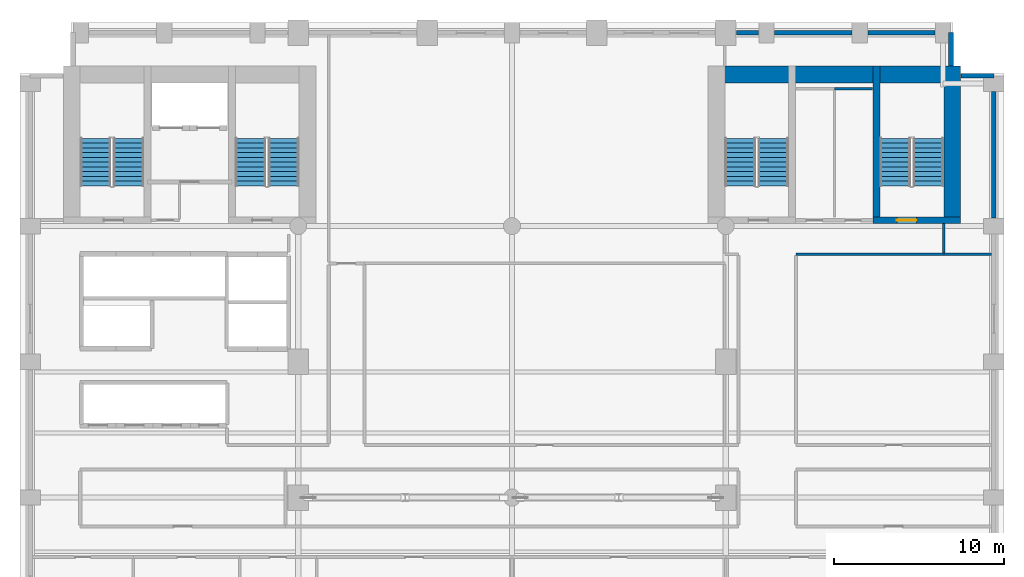
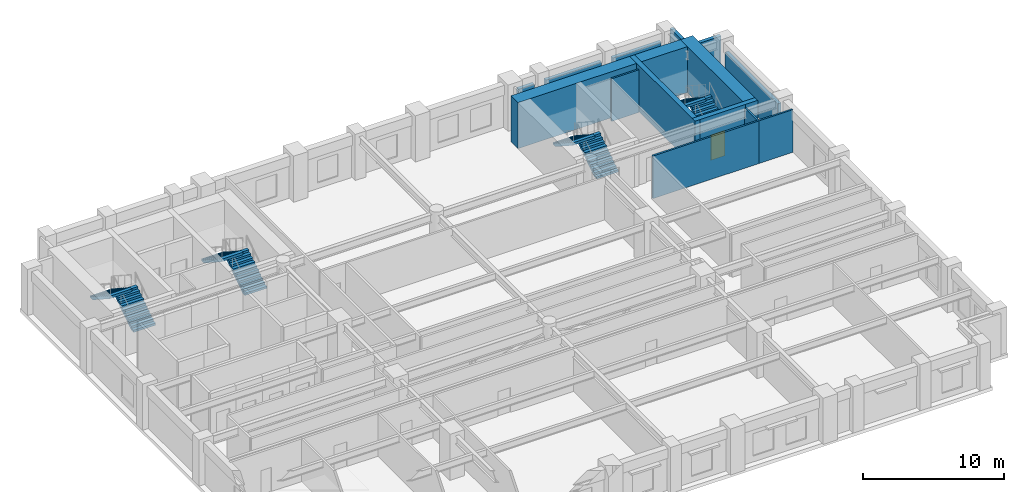
# One storey, part 8 of 11: 14 walls, 8 stair flights, 1 door, 1 opening, 4 elements without a shape of their own.
"""IFC4 building model written with IfcOpenShell, lengths in metres."""

from ifc_helpers import new_model, si_unit, direction, frame, frame_2d, origin, place, context, subcontext, project, spatial, polyline, rectangle, outline, extrude, material, layer, layer_set, type_object, element, fill, aggregate, save


model = new_model("IFC4")

# Units and contexts
model_context = context("Model", 3, precision=1e-05, world=origin(), true_north=direction((0.0, 1.0)))
body_context = subcontext(model_context, "Body", "Model", "MODEL_VIEW")
ifc_project = project(units=[si_unit("LENGTHUNIT", "METRE"), si_unit("AREAUNIT", "SQUARE_METRE"), si_unit("VOLUMEUNIT", "CUBIC_METRE"), si_unit("PLANEANGLEUNIT", "RADIAN"), si_unit("MASSUNIT", "GRAM", prefix="KILO")], contexts=[model_context])

# Site, building, storey
site_placement = place(None, origin())
site = spatial("IfcSite", under=ifc_project, at=site_placement, CompositionType="ELEMENT")
building_placement = place(site_placement, origin())
building = spatial("IfcBuilding", under=site, at=building_placement, Name="Sulina Concourse Tower", CompositionType="ELEMENT")
storey_placement = place(building_placement, frame((0.0, 0.0, 46.60009765625)))
storey = spatial("IfcBuildingStorey", under=building, at=storey_placement, Name="L11", CompositionType="ELEMENT", Elevation=46.60009765625)

# Walls
ifc_material_1 = material(Name="Gypsum board on steel stud", Category="steel")
ifc_layer_1 = layer(ifc_material_1, 0.14990234375)
ifc_layer_set_1 = layer_set([ifc_layer_1], Name="Gypsum board on steel stud")
wall_type_1 = type_object("IfcWallType", Name="Inter-Tenancy Acoustic Partition 150mm", PredefinedType="PARTITIONING", material=ifc_layer_set_1)
wall_1_placement = place(storey_placement, frame((45.75, 32.35009765625, 0.0), z_axis=(0.0, 0.0, 1.0), x_axis=(1.0, 0.0, 0.0)))
element("IfcWall", 1, at=wall_1_placement, inside=storey, type_object=wall_type_1, Name="L11 interior partition 021", PredefinedType="PARTITIONING", context=body_context, shape_type="SweptSolid", body=[
    extrude(rectangle(XDim=8.699951171875, YDim=0.14990234375, at=frame_2d((4.35009765625, 0.0))), origin(), (0.0, 0.0, 1.0), 3.699951171875),
])
wall_2_placement = place(storey_placement, frame((54.449951171875, 32.35009765625, 0.0), z_axis=(0.0, 0.0, 1.0), x_axis=(1.0, 0.0, 0.0)))
element("IfcWall", 2, at=wall_2_placement, inside=storey, type_object=wall_type_1, Name="L11 interior partition 022", PredefinedType="PARTITIONING", context=body_context, shape_type="SweptSolid", body=[
    extrude(rectangle(XDim=2.81005859375, YDim=0.14990234375, at=frame_2d((1.405029296875, 0.0))), origin(), (0.0, 0.0, 1.0), 3.699951171875),
])
wall_3_placement = place(storey_placement, frame((48.0, 42.10009765625, 0.0), z_axis=(0.0, 0.0, 1.0), x_axis=(1.0, 0.0, 0.0)))
element("IfcWall", 3, at=wall_3_placement, inside=storey, type_object=wall_type_1, Name="L11 interior partition 026", PredefinedType="PARTITIONING", context=body_context, shape_type="SweptSolid", body=[
    extrude(rectangle(XDim=2.25, YDim=0.14990234375, at=frame_2d((1.125, 0.0))), origin(), (0.0, 0.0, 1.0), 3.699951171875),
])
wall_4_placement = place(storey_placement, frame((54.449951171875, 32.425048828125, 0.0), z_axis=(0.0, 0.0, 1.0), x_axis=(0.0, 1.0, 0.0)))
element("IfcWall", 4, at=wall_4_placement, inside=storey, type_object=wall_type_1, Name="L11 interior partition 051", PredefinedType="PARTITIONING", context=body_context, shape_type="SweptSolid", body=[
    extrude(rectangle(XDim=1.724853515625, YDim=0.14990234375, at=frame_2d((0.8623046875, 0.0))), origin(), (0.0, 0.0, 1.0), 3.699951171875),
])

# Wall, opening, door
ifc_material_2 = material(Name="Concrete C60/75", Category="concrete")
ifc_layer_2 = layer(ifc_material_2, 0.39990234375)
ifc_layer_set_2 = layer_set([ifc_layer_2], Name="Concrete C60/75")
wall_type_2 = type_object("IfcWallType", Name="Protected Stair Core Shear Wall 400mm", PredefinedType="SHEAR", material=ifc_layer_set_2)
wall_5_placement = place(storey_placement, frame((50.2900390625, 34.35009765625, 0.0), z_axis=(0.0, 0.0, 1.0), x_axis=(1.0, 0.0, 0.0)))
wall_5 = element("IfcWall", 5, at=wall_5_placement, inside=storey, type_object=wall_type_2, Name="L11 east core shear wall CW-ES2", PredefinedType="SHEAR", context=body_context, shape_type="SweptSolid", body=[
    extrude(rectangle(XDim=5.159912109375, YDim=0.39990234375, at=frame_2d((2.580078125, 0.0))), origin(), (0.0, 0.0, 1.0), 4.0),
])
opening_placement = place(wall_5_placement, frame((1.39990234375, 0.0, 0.0)))
opening = element("IfcOpeningElement", 6, at=opening_placement, cuts=wall_5, Name="Opening DR-60", PredefinedType="OPENING", context=body_context, shape_type="SweptSolid", body=[
    extrude(rectangle(XDim=1.14990234375, YDim=2.199951171875, at=frame_2d((0.574951171875, 1.10009765625))), frame((0.0, 0.2099609375, 0.0), z_axis=(0.0, -1.0, 0.0), x_axis=(1.0, 0.0, 0.0)), (0.0, 0.0, 1.0), 0.419921875),
])
ifc_material_3 = material(Name="Galvanised steel acoustic fire leaf", Category="steel")
ifc_layer_3 = layer(ifc_material_3, 0.054931640625)
ifc_layer_set_3 = layer_set([ifc_layer_3], Name="Galvanised steel acoustic fire leaf")
door_type = type_object("IfcDoorType", Name="Protected Exit Stair Fire Door 1150x2200", OperationType="NOTDEFINED", PredefinedType="DOOR", material=ifc_layer_set_3)
door_placement = place(opening_placement, origin())
door = element("IfcDoor", 7, at=door_placement, inside=storey, type_object=door_type, Name="L11 stair ST-4 south lobby fire door", OperationType="SINGLE_SWING_RIGHT", OverallHeight=2.199951171875, OverallWidth=1.14990234375, PredefinedType="DOOR", context=body_context, shape_type="SweptSolid", body=[
    extrude(rectangle(XDim=1.14990234375, YDim=2.199951171875, at=frame_2d((0.574951171875, 1.10009765625))), frame((0.0, 0.02490234375, 0.0), z_axis=(0.0, -1.0, 0.0), x_axis=(1.0, 0.0, 0.0)), (0.0, 0.0, 1.0), 0.050048828125),
])
fill(opening, door)

# Walls
wall_6_placement = place(storey_placement, frame((50.489990234375, 34.14990234375, 0.0), z_axis=(0.0, 0.0, 1.0), x_axis=(0.0, 1.0, 0.0)))
element("IfcWall", 8, at=wall_6_placement, inside=storey, type_object=wall_type_2, Name="L11 east core shear wall SW-ST4", PredefinedType="SHEAR", context=body_context, shape_type="SweptSolid", body=[
    extrude(rectangle(XDim=9.280029296875, YDim=0.39990234375, at=frame_2d((4.64013671875, 0.0))), origin(), (0.0, 0.0, 1.0), 4.0),
])
ifc_material_4 = material(Name="Concrete C80/95", Category="concrete")
ifc_layer_4 = layer(ifc_material_4, 1.0)
ifc_layer_set_4 = layer_set([ifc_layer_4], Name="Concrete C80/95")
wall_type_3 = type_object("IfcWallType", Name="Rear Core Shear Wall 1000mm", PredefinedType="SHEAR", material=ifc_layer_set_4)
wall_7_placement = place(storey_placement, frame((40.550048828125, 42.929931640625, 0.0), z_axis=(0.0, 0.0, 1.0), x_axis=(1.0, 0.0, 0.0)))
element("IfcWall", 9, at=wall_7_placement, inside=storey, type_object=wall_type_3, Name="L11 east core shear wall CW-EN", PredefinedType="SHEAR", context=body_context, shape_type="SweptSolid", body=[
    extrude(rectangle(XDim=14.89990234375, YDim=1.0, at=frame_2d((7.449951171875, 0.0))), origin(), (0.0, 0.0, 1.0), 4.0),
])
wall_8_placement = place(storey_placement, frame((54.949951171875, 34.14990234375, 0.0), z_axis=(0.0, 0.0, 1.0), x_axis=(0.0, 1.0, 0.0)))
element("IfcWall", 10, at=wall_8_placement, inside=storey, type_object=wall_type_3, Name="L11 east core shear wall CW-EE", PredefinedType="SHEAR", context=body_context, shape_type="SweptSolid", body=[
    extrude(rectangle(XDim=9.280029296875, YDim=1.0, at=frame_2d((4.64013671875, 0.0))), origin(), (0.0, 0.0, 1.0), 4.0),
])
ifc_material_5 = material(Name="Precast concrete C50/60", Category="concrete")
ifc_layer_5 = layer(ifc_material_5, 0.280029296875)
ifc_layer_set_5 = layer_set([ifc_layer_5], Name="Precast concrete C50/60")
wall_type_4 = type_object("IfcWallType", Name="Typical Precast Masonry-Frame Facade Wall 280mm", PredefinedType="SOLIDWALL", material=ifc_layer_set_5)
wall_9_placement = place(storey_placement, frame((42.219970703125, 45.39990234375, 0.0), z_axis=(0.0, 0.0, 1.0), x_axis=(1.0, 0.0, 0.0)))
element("IfcWall", 11, at=wall_9_placement, inside=storey, type_object=wall_type_4, Name="L11 exterior precast wall N8", PredefinedType="SOLIDWALL", context=body_context, shape_type="SweptSolid", body=[
    extrude(rectangle(XDim=1.31005859375, YDim=0.280029296875, at=frame_2d((0.655029296875, 0.0))), origin(), (0.0, 0.0, 1.0), 2.849853515625),
])
wall_10_placement = place(storey_placement, frame((44.469970703125, 45.39990234375, 0.0), z_axis=(0.0, 0.0, 1.0), x_axis=(1.0, 0.0, 0.0)))
element("IfcWall", 12, at=wall_10_placement, inside=storey, type_object=wall_type_4, Name="L11 exterior precast wall N9", PredefinedType="SOLIDWALL", context=body_context, shape_type="SweptSolid", body=[
    extrude(rectangle(XDim=4.56005859375, YDim=0.280029296875, at=frame_2d((2.280029296875, 0.0))), origin(), (0.0, 0.0, 1.0), 2.849853515625),
])
wall_11_placement = place(storey_placement, frame((49.969970703125, 45.39990234375, 0.0), z_axis=(0.0, 0.0, 1.0), x_axis=(1.0, 0.0, 0.0)))
element("IfcWall", 13, at=wall_11_placement, inside=storey, type_object=wall_type_4, Name="L11 exterior precast wall N10", PredefinedType="SOLIDWALL", context=body_context, shape_type="SweptSolid", body=[
    extrude(rectangle(XDim=3.9599609375, YDim=0.280029296875, at=frame_2d((1.97998046875, 0.0))), origin(), (0.0, 0.0, 1.0), 2.849853515625),
])
wall_12_placement = place(storey_placement, frame((57.39990234375, 41.929931640625, 0.0), z_axis=(0.0, 0.0, 1.0), x_axis=(0.0, -1.0, 0.0)))
element("IfcWall", 14, at=wall_12_placement, inside=storey, type_object=wall_type_4, Name="L11 exterior precast wall E5", PredefinedType="SOLIDWALL", context=body_context, shape_type="SweptSolid", body=[
    extrude(rectangle(XDim=7.4599609375, YDim=0.280029296875, at=frame_2d((3.72998046875, 0.0))), origin(), (0.0, 0.0, 1.0), 2.849853515625),
])
wall_13_placement = place(storey_placement, frame((54.8701171875, 45.39990234375, 0.0), z_axis=(0.0, 0.0, 1.0), x_axis=(0.0, -1.0, 0.0)))
element("IfcWall", 15, at=wall_13_placement, inside=storey, type_object=wall_type_4, Name="L11 exterior precast wall CNE1", PredefinedType="SOLIDWALL", context=body_context, shape_type="SweptSolid", body=[
    extrude(rectangle(XDim=1.96484375, YDim=0.280029296875, at=frame_2d((0.982421875, 0.0))), origin(), (0.0, 0.0, 1.0), 3.699951171875),
])
wall_14_placement = place(storey_placement, frame((55.455078125, 42.8701171875, 0.0), z_axis=(0.0, 0.0, 1.0), x_axis=(1.0, 0.0, 0.0)))
element("IfcWall", 16, at=wall_14_placement, inside=storey, type_object=wall_type_4, Name="L11 exterior precast wall CNE2", PredefinedType="SOLIDWALL", context=body_context, shape_type="SweptSolid", body=[
    extrude(rectangle(XDim=1.94482421875, YDim=0.280029296875, at=frame_2d((0.972412109375, 0.0))), origin(), (0.0, 0.0, 1.0), 3.699951171875),
])

# Stair, stair flights
ifc_material_6 = material(Name="Concrete C50/60", Category="concrete")
stair_type_1 = type_object("IfcStairType", Name="Portal & Podium Core Exit Stair 1820mm", PredefinedType="HALF_TURN_STAIR", material=ifc_material_6)
stair_1_placement = place(storey_placement, origin())
stair_1 = element("IfcStair", 17, at=stair_1_placement, inside=storey, type_object=stair_type_1, Name="L11 ST-3", PredefinedType="HALF_TURN_STAIR")
ifc_material_7 = material(Name="Concrete C50/60", Category="concrete")
stair_flight_type_1 = type_object("IfcStairFlightType", Name="Portal & Podium Core Exit Stair 1820mm Flight", PredefinedType="STRAIGHT", material=ifc_material_7)
stair_flight_1_placement = place(storey_placement, frame((44.405029296875, 36.375, 0.0), z_axis=(0.0, 0.0, 1.0), x_axis=(0.0, 1.0, 0.0)))
stair_flight_1 = element("IfcStairFlight", 18, at=stair_flight_1_placement, type_object=stair_flight_type_1, Name="ST-3 flight 1", NumberOfRisers=11, NumberOfTreads=10, PredefinedType="STRAIGHT", RiserHeight=0.181818182, TreadLength=0.28, context=body_context, shape_type="SweptSolid", body=[
    extrude(outline(polyline([(0.0, 0.0), (0.0, 0.181884765625), (0.280029296875, 0.181884765625), (0.280029296875, 0.363525390625), (0.56005859375, 0.363525390625), (0.56005859375, 0.54541015625), (0.840087890625, 0.54541015625), (0.840087890625, 0.727294921875), (1.1201171875, 0.727294921875), (1.1201171875, 0.9091796875), (1.39990234375, 0.9091796875), (1.39990234375, 1.0908203125), (1.679931640625, 1.0908203125), (1.679931640625, 1.272705078125), (1.9599609375, 1.272705078125), (1.9599609375, 1.45458984375), (2.239990234375, 1.45458984375), (2.239990234375, 1.636474609375), (2.52001953125, 1.636474609375), (2.52001953125, 1.818115234375), (2.800048828125, 1.818115234375), (2.800048828125, 2.0), (2.800048828125, 1.603759765625), (0.330322265625, 0.0), (0.0, 0.0)])), frame((0.0, 0.89990234375, 0.0), z_axis=(0.0, -1.0, 0.0), x_axis=(1.0, 0.0, 0.0)), (0.0, 0.0, 1.0), 1.800048828125),
])
stair_flight_2_placement = place(storey_placement, frame((42.455078125, 39.175048828125, 2.0), z_axis=(0.0, 0.0, 1.0), x_axis=(0.0, -1.0, 0.0)))
stair_flight_2 = element("IfcStairFlight", 19, at=stair_flight_2_placement, type_object=stair_flight_type_1, Name="ST-3 flight 2", NumberOfRisers=11, NumberOfTreads=10, PredefinedType="STRAIGHT", RiserHeight=0.181818182, TreadLength=0.28, context=body_context, shape_type="SweptSolid", body=[
    extrude(outline(polyline([(0.0, 0.0), (0.0, 0.181884765625), (0.280029296875, 0.181884765625), (0.280029296875, 0.363525390625), (0.56005859375, 0.363525390625), (0.56005859375, 0.54541015625), (0.840087890625, 0.54541015625), (0.840087890625, 0.727294921875), (1.1201171875, 0.727294921875), (1.1201171875, 0.9091796875), (1.39990234375, 0.9091796875), (1.39990234375, 1.0908203125), (1.679931640625, 1.0908203125), (1.679931640625, 1.272705078125), (1.9599609375, 1.272705078125), (1.9599609375, 1.45458984375), (2.239990234375, 1.45458984375), (2.239990234375, 1.636474609375), (2.52001953125, 1.636474609375), (2.52001953125, 1.818115234375), (2.800048828125, 1.818115234375), (2.800048828125, 2.0), (2.800048828125, 1.603759765625), (0.330322265625, 0.0), (0.0, 0.0)])), frame((0.0, 0.89990234375, 0.0), z_axis=(0.0, -1.0, 0.0), x_axis=(1.0, 0.0, 0.0)), (0.0, 0.0, 1.0), 1.800048828125),
])
aggregate(stair_1, [stair_flight_1, stair_flight_2])

stair_2_placement = place(storey_placement, origin())
stair_2 = element("IfcStair", 20, at=stair_2_placement, inside=storey, type_object=stair_type_1, Name="L11 ST-4", PredefinedType="HALF_TURN_STAIR")
stair_flight_3_placement = place(storey_placement, frame((53.544921875, 36.375, 0.0), z_axis=(0.0, 0.0, 1.0), x_axis=(0.0, 1.0, 0.0)))
stair_flight_3 = element("IfcStairFlight", 21, at=stair_flight_3_placement, type_object=stair_flight_type_1, Name="ST-4 flight 1", NumberOfRisers=11, NumberOfTreads=10, PredefinedType="STRAIGHT", RiserHeight=0.181818182, TreadLength=0.28, context=body_context, shape_type="SweptSolid", body=[
    extrude(outline(polyline([(0.0, 0.0), (0.0, 0.181884765625), (0.280029296875, 0.181884765625), (0.280029296875, 0.363525390625), (0.56005859375, 0.363525390625), (0.56005859375, 0.54541015625), (0.840087890625, 0.54541015625), (0.840087890625, 0.727294921875), (1.1201171875, 0.727294921875), (1.1201171875, 0.9091796875), (1.39990234375, 0.9091796875), (1.39990234375, 1.0908203125), (1.679931640625, 1.0908203125), (1.679931640625, 1.272705078125), (1.9599609375, 1.272705078125), (1.9599609375, 1.45458984375), (2.239990234375, 1.45458984375), (2.239990234375, 1.636474609375), (2.52001953125, 1.636474609375), (2.52001953125, 1.818115234375), (2.800048828125, 1.818115234375), (2.800048828125, 2.0), (2.800048828125, 1.603759765625), (0.330322265625, 0.0), (0.0, 0.0)])), frame((0.0, 0.89990234375, 0.0), z_axis=(0.0, -1.0, 0.0), x_axis=(1.0, 0.0, 0.0)), (0.0, 0.0, 1.0), 1.800048828125),
])
stair_flight_4_placement = place(storey_placement, frame((51.594970703125, 39.175048828125, 2.0), z_axis=(0.0, 0.0, 1.0), x_axis=(0.0, -1.0, 0.0)))
stair_flight_4 = element("IfcStairFlight", 22, at=stair_flight_4_placement, type_object=stair_flight_type_1, Name="ST-4 flight 2", NumberOfRisers=11, NumberOfTreads=10, PredefinedType="STRAIGHT", RiserHeight=0.181818182, TreadLength=0.28, context=body_context, shape_type="SweptSolid", body=[
    extrude(outline(polyline([(0.0, 0.0), (0.0, 0.181884765625), (0.280029296875, 0.181884765625), (0.280029296875, 0.363525390625), (0.56005859375, 0.363525390625), (0.56005859375, 0.54541015625), (0.840087890625, 0.54541015625), (0.840087890625, 0.727294921875), (1.1201171875, 0.727294921875), (1.1201171875, 0.9091796875), (1.39990234375, 0.9091796875), (1.39990234375, 1.0908203125), (1.679931640625, 1.0908203125), (1.679931640625, 1.272705078125), (1.9599609375, 1.272705078125), (1.9599609375, 1.45458984375), (2.239990234375, 1.45458984375), (2.239990234375, 1.636474609375), (2.52001953125, 1.636474609375), (2.52001953125, 1.818115234375), (2.800048828125, 1.818115234375), (2.800048828125, 2.0), (2.800048828125, 1.603759765625), (0.330322265625, 0.0), (0.0, 0.0)])), frame((0.0, 0.89990234375, 0.0), z_axis=(0.0, -1.0, 0.0), x_axis=(1.0, 0.0, 0.0)), (0.0, 0.0, 1.0), 1.800048828125),
])
aggregate(stair_2, [stair_flight_3, stair_flight_4])

ifc_material_8 = material(Name="Concrete C50/60", Category="concrete")
stair_type_2 = type_object("IfcStairType", Name="Primary Core Dog-Leg Exit Stair 1800mm", PredefinedType="HALF_TURN_STAIR", material=ifc_material_8)
stair_3_placement = place(storey_placement, origin())
stair_3 = element("IfcStair", 23, at=stair_3_placement, inside=storey, type_object=stair_type_2, Name="L11 ST-1", PredefinedType="HALF_TURN_STAIR")
ifc_material_9 = material(Name="Concrete C50/60", Category="concrete")
stair_flight_type_2 = type_object("IfcStairFlightType", Name="Primary Core Dog-Leg Exit Stair 1800mm Flight", PredefinedType="STRAIGHT", material=ifc_material_9)
stair_flight_5_placement = place(storey_placement, frame((6.405029296875, 36.375, 0.0), z_axis=(0.0, 0.0, 1.0), x_axis=(0.0, 1.0, 0.0)))
stair_flight_5 = element("IfcStairFlight", 24, at=stair_flight_5_placement, type_object=stair_flight_type_2, Name="ST-1 flight 1", NumberOfRisers=11, NumberOfTreads=10, PredefinedType="STRAIGHT", RiserHeight=0.181818182, TreadLength=0.28, context=body_context, shape_type="SweptSolid", body=[
    extrude(outline(polyline([(0.0, 0.0), (0.0, 0.181884765625), (0.280029296875, 0.181884765625), (0.280029296875, 0.363525390625), (0.56005859375, 0.363525390625), (0.56005859375, 0.54541015625), (0.840087890625, 0.54541015625), (0.840087890625, 0.727294921875), (1.1201171875, 0.727294921875), (1.1201171875, 0.9091796875), (1.39990234375, 0.9091796875), (1.39990234375, 1.0908203125), (1.679931640625, 1.0908203125), (1.679931640625, 1.272705078125), (1.9599609375, 1.272705078125), (1.9599609375, 1.45458984375), (2.239990234375, 1.45458984375), (2.239990234375, 1.636474609375), (2.52001953125, 1.636474609375), (2.52001953125, 1.818115234375), (2.800048828125, 1.818115234375), (2.800048828125, 2.0), (2.800048828125, 1.603759765625), (0.330322265625, 0.0), (0.0, 0.0)])), frame((0.0, 0.89990234375, 0.0), z_axis=(0.0, -1.0, 0.0), x_axis=(1.0, 0.0, 0.0)), (0.0, 0.0, 1.0), 1.800048828125),
])
stair_flight_6_placement = place(storey_placement, frame((4.455078125, 39.175048828125, 2.0), z_axis=(0.0, 0.0, 1.0), x_axis=(0.0, -1.0, 0.0)))
stair_flight_6 = element("IfcStairFlight", 25, at=stair_flight_6_placement, type_object=stair_flight_type_2, Name="ST-1 flight 2", NumberOfRisers=11, NumberOfTreads=10, PredefinedType="STRAIGHT", RiserHeight=0.181818182, TreadLength=0.28, context=body_context, shape_type="SweptSolid", body=[
    extrude(outline(polyline([(0.0, 0.0), (0.0, 0.181884765625), (0.280029296875, 0.181884765625), (0.280029296875, 0.363525390625), (0.56005859375, 0.363525390625), (0.56005859375, 0.54541015625), (0.840087890625, 0.54541015625), (0.840087890625, 0.727294921875), (1.1201171875, 0.727294921875), (1.1201171875, 0.9091796875), (1.39990234375, 0.9091796875), (1.39990234375, 1.0908203125), (1.679931640625, 1.0908203125), (1.679931640625, 1.272705078125), (1.9599609375, 1.272705078125), (1.9599609375, 1.45458984375), (2.239990234375, 1.45458984375), (2.239990234375, 1.636474609375), (2.52001953125, 1.636474609375), (2.52001953125, 1.818115234375), (2.800048828125, 1.818115234375), (2.800048828125, 2.0), (2.800048828125, 1.603759765625), (0.330322265625, 0.0), (0.0, 0.0)])), frame((0.0, 0.89990234375, 0.0), z_axis=(0.0, -1.0, 0.0), x_axis=(1.0, 0.0, 0.0)), (0.0, 0.0, 1.0), 1.800048828125),
])
aggregate(stair_3, [stair_flight_5, stair_flight_6])

stair_4_placement = place(storey_placement, origin())
stair_4 = element("IfcStair", 26, at=stair_4_placement, inside=storey, type_object=stair_type_2, Name="L11 ST-2", PredefinedType="HALF_TURN_STAIR")
stair_flight_7_placement = place(storey_placement, frame((15.544921875, 36.375, 0.0), z_axis=(0.0, 0.0, 1.0), x_axis=(0.0, 1.0, 0.0)))
stair_flight_7 = element("IfcStairFlight", 27, at=stair_flight_7_placement, type_object=stair_flight_type_2, Name="ST-2 flight 1", NumberOfRisers=11, NumberOfTreads=10, PredefinedType="STRAIGHT", RiserHeight=0.181818182, TreadLength=0.28, context=body_context, shape_type="SweptSolid", body=[
    extrude(outline(polyline([(0.0, 0.0), (0.0, 0.181884765625), (0.280029296875, 0.181884765625), (0.280029296875, 0.363525390625), (0.56005859375, 0.363525390625), (0.56005859375, 0.54541015625), (0.840087890625, 0.54541015625), (0.840087890625, 0.727294921875), (1.1201171875, 0.727294921875), (1.1201171875, 0.9091796875), (1.39990234375, 0.9091796875), (1.39990234375, 1.0908203125), (1.679931640625, 1.0908203125), (1.679931640625, 1.272705078125), (1.9599609375, 1.272705078125), (1.9599609375, 1.45458984375), (2.239990234375, 1.45458984375), (2.239990234375, 1.636474609375), (2.52001953125, 1.636474609375), (2.52001953125, 1.818115234375), (2.800048828125, 1.818115234375), (2.800048828125, 2.0), (2.800048828125, 1.603759765625), (0.330322265625, 0.0), (0.0, 0.0)])), frame((0.0, 0.89990234375, 0.0), z_axis=(0.0, -1.0, 0.0), x_axis=(1.0, 0.0, 0.0)), (0.0, 0.0, 1.0), 1.800048828125),
])
stair_flight_8_placement = place(storey_placement, frame((13.594970703125, 39.175048828125, 2.0), z_axis=(0.0, 0.0, 1.0), x_axis=(0.0, -1.0, 0.0)))
stair_flight_8 = element("IfcStairFlight", 28, at=stair_flight_8_placement, type_object=stair_flight_type_2, Name="ST-2 flight 2", NumberOfRisers=11, NumberOfTreads=10, PredefinedType="STRAIGHT", RiserHeight=0.181818182, TreadLength=0.28, context=body_context, shape_type="SweptSolid", body=[
    extrude(outline(polyline([(0.0, 0.0), (0.0, 0.181884765625), (0.280029296875, 0.181884765625), (0.280029296875, 0.363525390625), (0.56005859375, 0.363525390625), (0.56005859375, 0.54541015625), (0.840087890625, 0.54541015625), (0.840087890625, 0.727294921875), (1.1201171875, 0.727294921875), (1.1201171875, 0.9091796875), (1.39990234375, 0.9091796875), (1.39990234375, 1.0908203125), (1.679931640625, 1.0908203125), (1.679931640625, 1.272705078125), (1.9599609375, 1.272705078125), (1.9599609375, 1.45458984375), (2.239990234375, 1.45458984375), (2.239990234375, 1.636474609375), (2.52001953125, 1.636474609375), (2.52001953125, 1.818115234375), (2.800048828125, 1.818115234375), (2.800048828125, 2.0), (2.800048828125, 1.603759765625), (0.330322265625, 0.0), (0.0, 0.0)])), frame((0.0, 0.89990234375, 0.0), z_axis=(0.0, -1.0, 0.0), x_axis=(1.0, 0.0, 0.0)), (0.0, 0.0, 1.0), 1.800048828125),
])
aggregate(stair_4, [stair_flight_7, stair_flight_8])

save(model, "model.ifc")
